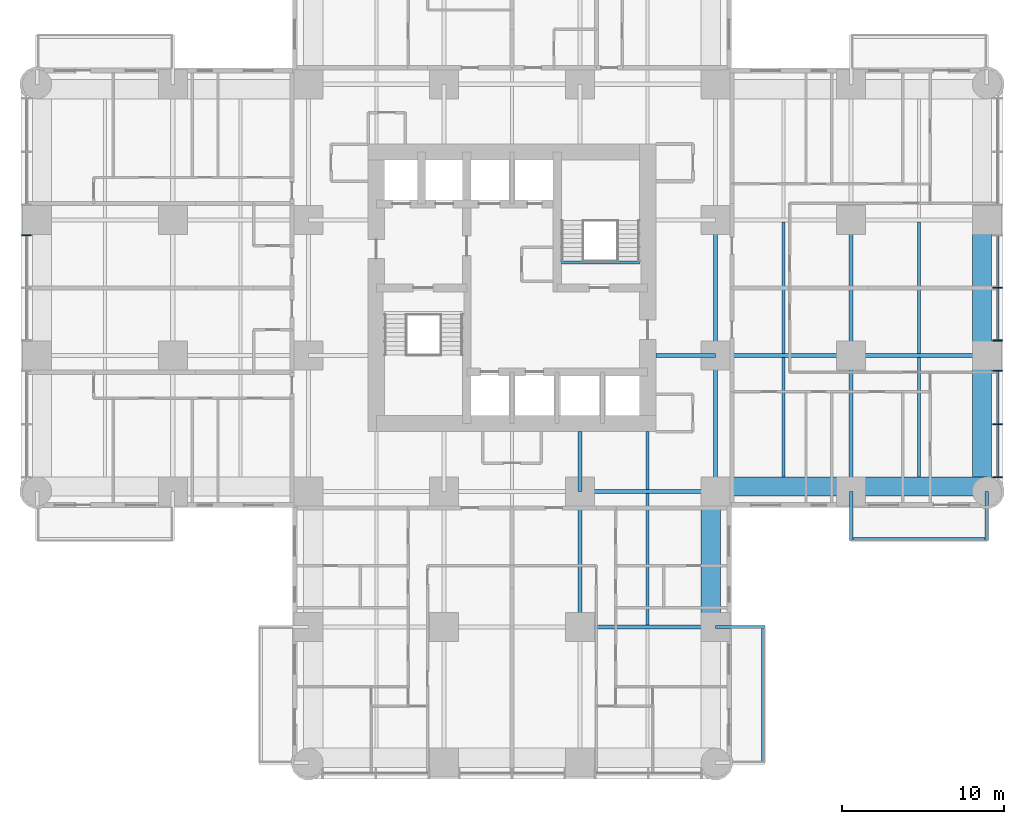
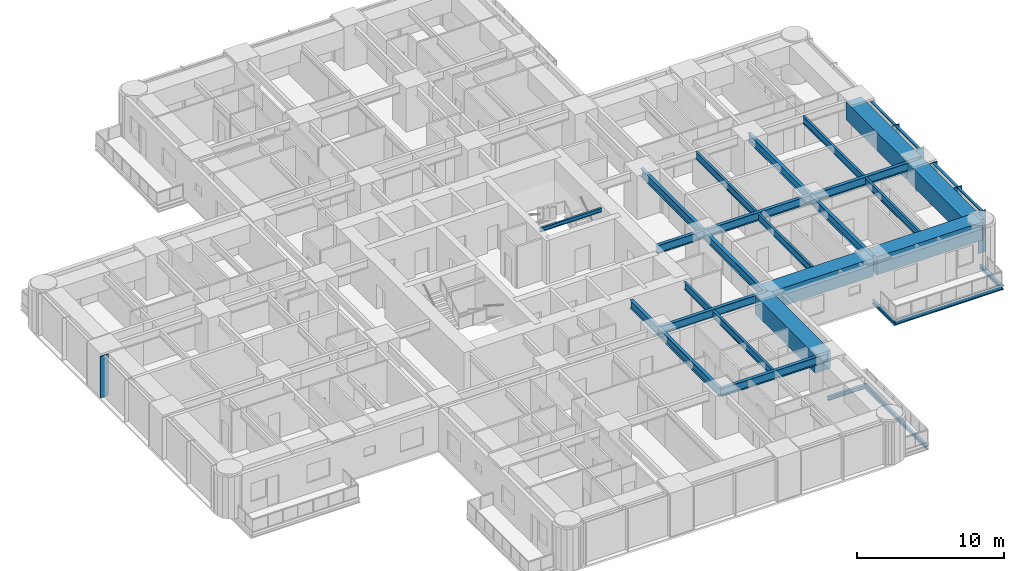
# One storey, part 3 of 17: 28 beams, 10 members, 2 elements without a shape of their own.
"""IFC4 building model written with IfcOpenShell, lengths in metres."""

from ifc_helpers import new_model, si_unit, direction, frame, origin, origin_2d, place, context, subcontext, project, spatial, rectangle, i_section, extrude, material, material_profile, profile_set, type_object, element, aggregate, save


model = new_model("IFC4")

# Units and contexts
model_context = context("Model", 3, precision=1e-05, world=origin(), true_north=direction((0.0, 1.0)))
body_context = subcontext(model_context, "Body", "Model", "MODEL_VIEW")
ifc_project = project(units=[si_unit("LENGTHUNIT", "METRE"), si_unit("AREAUNIT", "SQUARE_METRE"), si_unit("VOLUMEUNIT", "CUBIC_METRE"), si_unit("PLANEANGLEUNIT", "RADIAN"), si_unit("MASSUNIT", "GRAM", prefix="KILO")], contexts=[model_context])

# Site, building, storey
site_placement = place(None, origin())
site = spatial("IfcSite", under=ifc_project, at=site_placement, CompositionType="ELEMENT")
building_placement = place(site_placement, origin())
building = spatial("IfcBuilding", under=site, at=building_placement, Name="Torre Alcanfor", CompositionType="ELEMENT")
storey_placement = place(building_placement, frame((0.0, 0.0, 63.300048828125)))
storey = spatial("IfcBuildingStorey", under=building, at=storey_placement, Name="L15", CompositionType="ELEMENT", Elevation=63.300048828125)

# Beams
ifc_material_1 = material(Name="Steel ASTM A992 Grade 50", Category="steel")
ifc_material_profile_1 = material_profile(ifc_material_1, i_section(OverallWidth=0.205322265625, OverallDepth=0.309814453125, WebThickness=0.00927734375, FlangeThickness=0.016357421875, at=origin_2d()), Name="W12x50")
ifc_profile_set_1 = profile_set([ifc_material_profile_1], Name="Steel ASTM A992 Grade 50")
beam_type_1 = type_object("IfcBeamType", Name="Balcony cantilever beam W12x50", PredefinedType="BEAM", material=ifc_profile_set_1)
for number, where, z_axis, x_axis, name in (
    (1, (50.39990234375, 16.800048828125, -0.35498046875), (0.0, -1.0, 0.0), (1.0, 0.0, 0.0), "Balcony cantilever beam L15-E2 1"),
    (2, (58.800048828125, 16.800048828125, -0.35498046875), (0.0, -1.0, 0.0), (1.0, 0.0, 0.0), "Balcony cantilever beam L15-E2 2"),
    (3, (42.0, 8.39990234375, -0.35498046875), (1.0, 0.0, 0.0), (0.0, 1.0, 0.0), "Balcony cantilever beam L15-S1 1"),
):
    element("IfcBeam", number, at=place(storey_placement, frame(where, z_axis=z_axis, x_axis=x_axis)), inside=storey, type_object=beam_type_1, Name=name, PredefinedType="BEAM", context=body_context, shape_type="SweptSolid", body=[
        extrude(i_section(OverallWidth=0.205322265625, OverallDepth=0.309814453125, WebThickness=0.00927734375, FlangeThickness=0.016357421875, at=origin_2d()), origin(), (0.0, 0.0, 1.0), 3.050048828125),
    ])
ifc_material_2 = material(Name="Steel ASTM A992 Grade 50", Category="steel")
ifc_material_profile_2 = material_profile(ifc_material_2, i_section(OverallWidth=0.203369140625, OverallDepth=0.30224609375, WebThickness=0.007568359375, FlangeThickness=0.01318359375, at=origin_2d()), Name="W12x40")
ifc_profile_set_2 = profile_set([ifc_material_profile_2], Name="Steel ASTM A992 Grade 50")
beam_type_2 = type_object("IfcBeamType", Name="Balcony edge trimmer W12x40", PredefinedType="BEAM", material=ifc_profile_set_2)
beam_1_placement = place(storey_placement, frame((50.39990234375, 13.851806640625, -0.35107421875), z_axis=(1.0, 0.0, 0.0), x_axis=(0.0, 1.0, 0.0)))
element("IfcBeam", 4, at=beam_1_placement, inside=storey, type_object=beam_type_2, Name="Balcony edge trimmer L15-E2", PredefinedType="BEAM", context=body_context, shape_type="SweptSolid", body=[
    extrude(i_section(OverallWidth=0.203369140625, OverallDepth=0.30224609375, WebThickness=0.007568359375, FlangeThickness=0.01318359375, at=origin_2d()), origin(), (0.0, 0.0, 1.0), 8.400146484375),
])
beam_2_placement = place(storey_placement, frame((44.9482421875, 8.39990234375, -0.35107421875), z_axis=(0.0, -1.0, 0.0), x_axis=(1.0, 0.0, 0.0)))
element("IfcBeam", 5, at=beam_2_placement, inside=storey, type_object=beam_type_2, Name="Balcony edge trimmer L15-S1", PredefinedType="BEAM", context=body_context, shape_type="SweptSolid", body=[
    extrude(i_section(OverallWidth=0.203369140625, OverallDepth=0.30224609375, WebThickness=0.007568359375, FlangeThickness=0.01318359375, at=origin_2d()), origin(), (0.0, 0.0, 1.0), 8.39990234375),
])

# Curtain wall, member
ifc_material_3 = material(Name="Aluminium and glass", Category="aluminium")
curtain_wall_type = type_object("IfcCurtainWallType", Name="CW-A unitised apartment glazing with vertical FIN", PredefinedType="NOTDEFINED", material=ifc_material_3)
curtain_wall_1_placement = place(storey_placement, origin())
curtain_wall_1 = element("IfcCurtainWall", 6, at=curtain_wall_1_placement, inside=storey, type_object=curtain_wall_type, Name="Curtain wall CW-A L15 2", PredefinedType="NOTDEFINED")
ifc_material_4 = material(Name="Bronze anodised aluminium", Category="aluminium")
ifc_material_profile_3 = material_profile(ifc_material_4, rectangle(XDim=0.60009765625, YDim=0.06494140625, at=origin_2d()), Name="CW-A mullion 65x600")
ifc_profile_set_3 = profile_set([ifc_material_profile_3], Name="Bronze anodised aluminium")
member_type_1 = type_object("IfcMemberType", Name="CW-A mullion with vertical FIN 65x600", PredefinedType="MULLION", material=ifc_profile_set_3)
member_1_placement = place(storey_placement, frame((-0.64990234375, 32.66259765625, 0.0), z_axis=(0.0, 0.0, 1.0), x_axis=(1.0, 0.0, 0.0)))
member_1 = element("IfcMember", 7, at=member_1_placement, type_object=member_type_1, Name="CW-A mullion 2.1", PredefinedType="MULLION", context=body_context, shape_type="SweptSolid", body=[
    extrude(rectangle(XDim=0.60009765625, YDim=0.06494140625, at=origin_2d()), origin(), (0.0, 0.0, 1.0), 3.449951171875),
])
aggregate(curtain_wall_1, [member_1])

# Curtain wall, members
curtain_wall_2_placement = place(storey_placement, origin())
curtain_wall_2 = element("IfcCurtainWall", 8, at=curtain_wall_2_placement, inside=storey, type_object=curtain_wall_type, Name="Curtain wall CW-A L15 8", PredefinedType="NOTDEFINED")
member_2_placement = place(storey_placement, frame((59.449951171875, 17.6669921875, 0.0), z_axis=(0.0, 0.0, 1.0), x_axis=(-1.0, 0.0, 0.0)))
member_2 = element("IfcMember", 9, at=member_2_placement, type_object=member_type_1, Name="CW-A mullion 1.1", PredefinedType="MULLION", context=body_context, shape_type="SweptSolid", body=[
    extrude(rectangle(XDim=0.60009765625, YDim=0.06494140625, at=origin_2d()), origin(), (0.0, 0.0, 1.0), 3.449951171875),
])
member_3_placement = place(storey_placement, frame((59.449951171875, 20.96484375, 0.0), z_axis=(0.0, 0.0, 1.0), x_axis=(-1.0, 0.0, 0.0)))
member_3 = element("IfcMember", 10, at=member_3_placement, type_object=member_type_1, Name="CW-A mullion 1.2", PredefinedType="MULLION", context=body_context, shape_type="SweptSolid", body=[
    extrude(rectangle(XDim=0.60009765625, YDim=0.06494140625, at=origin_2d()), origin(), (0.0, 0.0, 1.0), 3.449951171875),
])
member_4_placement = place(storey_placement, frame((59.449951171875, 24.262451171875, 0.0), z_axis=(0.0, 0.0, 1.0), x_axis=(-1.0, 0.0, 0.0)))
member_4 = element("IfcMember", 11, at=member_4_placement, type_object=member_type_1, Name="CW-A mullion 1.3", PredefinedType="MULLION", context=body_context, shape_type="SweptSolid", body=[
    extrude(rectangle(XDim=0.60009765625, YDim=0.06494140625, at=origin_2d()), origin(), (0.0, 0.0, 1.0), 3.449951171875),
])
member_5_placement = place(storey_placement, frame((59.449951171875, 26.137451171875, 0.0), z_axis=(0.0, 0.0, 1.0), x_axis=(-1.0, 0.0, 0.0)))
member_5 = element("IfcMember", 12, at=member_5_placement, type_object=member_type_1, Name="CW-A mullion 2.1", PredefinedType="MULLION", context=body_context, shape_type="SweptSolid", body=[
    extrude(rectangle(XDim=0.60009765625, YDim=0.06494140625, at=origin_2d()), origin(), (0.0, 0.0, 1.0), 3.449951171875),
])
member_6_placement = place(storey_placement, frame((59.449951171875, 29.39990234375, 0.0), z_axis=(0.0, 0.0, 1.0), x_axis=(-1.0, 0.0, 0.0)))
member_6 = element("IfcMember", 13, at=member_6_placement, type_object=member_type_1, Name="CW-A mullion 2.2", PredefinedType="MULLION", context=body_context, shape_type="SweptSolid", body=[
    extrude(rectangle(XDim=0.60009765625, YDim=0.06494140625, at=origin_2d()), origin(), (0.0, 0.0, 1.0), 3.449951171875),
])
ifc_material_5 = material(Name="Extruded aluminium", Category="aluminium")
ifc_material_profile_4 = material_profile(ifc_material_5, rectangle(XDim=0.199951171875, YDim=0.06494140625, at=origin_2d()), Name="CW-A transom 200x65")
ifc_profile_set_4 = profile_set([ifc_material_profile_4], Name="Extruded aluminium")
member_type_2 = type_object("IfcMemberType", Name="CW-A transom 65x200", PredefinedType="USERDEFINED", material=ifc_profile_set_4)
member_7_placement = place(storey_placement, frame((59.449951171875, 17.699462890625, 3.41748046875), z_axis=(0.0, 1.0, 0.0), x_axis=(-1.0, 0.0, 0.0)))
member_7 = element("IfcMember", 14, at=member_7_placement, type_object=member_type_2, Name="CW-A transom 1.1.2", ObjectType="TRANSOM", PredefinedType="USERDEFINED", context=body_context, shape_type="SweptSolid", body=[
    extrude(rectangle(XDim=0.199951171875, YDim=0.06494140625, at=origin_2d()), origin(), (0.0, 0.0, 1.0), 3.232666015625),
])
member_8_placement = place(storey_placement, frame((59.449951171875, 20.997314453125, 3.41748046875), z_axis=(0.0, 1.0, 0.0), x_axis=(-1.0, 0.0, 0.0)))
member_8 = element("IfcMember", 15, at=member_8_placement, type_object=member_type_2, Name="CW-A transom 1.2.2", ObjectType="TRANSOM", PredefinedType="USERDEFINED", context=body_context, shape_type="SweptSolid", body=[
    extrude(rectangle(XDim=0.199951171875, YDim=0.06494140625, at=origin_2d()), origin(), (0.0, 0.0, 1.0), 3.232666015625),
])
member_9_placement = place(storey_placement, frame((59.449951171875, 26.169921875, 3.41748046875), z_axis=(0.0, 1.0, 0.0), x_axis=(-1.0, 0.0, 0.0)))
member_9 = element("IfcMember", 16, at=member_9_placement, type_object=member_type_2, Name="CW-A transom 2.1.2", ObjectType="TRANSOM", PredefinedType="USERDEFINED", context=body_context, shape_type="SweptSolid", body=[
    extrude(rectangle(XDim=0.199951171875, YDim=0.06494140625, at=origin_2d()), origin(), (0.0, 0.0, 1.0), 3.197509765625),
])
member_10_placement = place(storey_placement, frame((59.449951171875, 29.4326171875, 3.41748046875), z_axis=(0.0, 1.0, 0.0), x_axis=(-1.0, 0.0, 0.0)))
member_10 = element("IfcMember", 17, at=member_10_placement, type_object=member_type_2, Name="CW-A transom 2.2.2", ObjectType="TRANSOM", PredefinedType="USERDEFINED", context=body_context, shape_type="SweptSolid", body=[
    extrude(rectangle(XDim=0.199951171875, YDim=0.06494140625, at=origin_2d()), origin(), (0.0, 0.0, 1.0), 3.197265625),
])
aggregate(curtain_wall_2, [member_2, member_3, member_4, member_7, member_8, member_5, member_6, member_9, member_10])

# Beams
ifc_material_6 = material(Name="Steel ASTM A992 Grade 50", Category="steel")
ifc_material_profile_5 = material_profile(ifc_material_6, i_section(OverallWidth=0.25390625, OverallDepth=0.683349609375, WebThickness=0.012451171875, FlangeThickness=0.01904296875, at=origin_2d()), Name="W27x94")
ifc_profile_set_5 = profile_set([ifc_material_profile_5], Name="Steel ASTM A992 Grade 50")
beam_type_3 = type_object("IfcBeamType", Name="Girder W27x94", PredefinedType="BEAM", material=ifc_profile_set_5)
for number, where, z_axis, x_axis, name in (
    (18, (33.60009765625, 8.39990234375, 3.1083984375), (1.0, 0.0, 0.0), (0.0, 1.0, 0.0), "Beam 5D-6D under L16"),
    (19, (33.60009765625, 16.800048828125, 3.1083984375), (1.0, 0.0, 0.0), (0.0, 1.0, 0.0), "Beam 5E-6E under L16"),
    (20, (42.0, 25.199951171875, 3.1083984375), (1.0, 0.0, 0.0), (0.0, 1.0, 0.0), "Beam 6F-7F under L16"),
):
    element("IfcBeam", number, at=place(storey_placement, frame(where, z_axis=z_axis, x_axis=x_axis)), inside=storey, type_object=beam_type_3, Name=name, PredefinedType="BEAM", context=body_context, shape_type="SweptSolid", body=[
        extrude(i_section(OverallWidth=0.25390625, OverallDepth=0.683349609375, WebThickness=0.012451171875, FlangeThickness=0.01904296875, at=origin_2d()), origin(), (0.0, 0.0, 1.0), 8.39990234375),
    ])
for number, where, z_axis, x_axis, name in (
    (21, (50.39990234375, 25.199951171875, 3.1083984375), (1.0, 0.0, 0.0), (0.0, 1.0, 0.0), "Beam 7F-8F under L16"),
    (22, (33.60009765625, 8.39990234375, 3.1083984375), (0.0, 1.0, 0.0), (-1.0, 0.0, 0.0), "Beam 5D-5E under L16"),
):
    element("IfcBeam", number, at=place(storey_placement, frame(where, z_axis=z_axis, x_axis=x_axis)), inside=storey, type_object=beam_type_3, Name=name, PredefinedType="BEAM", context=body_context, shape_type="SweptSolid", body=[
        extrude(i_section(OverallWidth=0.25390625, OverallDepth=0.683349609375, WebThickness=0.012451171875, FlangeThickness=0.01904296875, at=origin_2d()), origin(), (0.0, 0.0, 1.0), 8.400146484375),
    ])
beam_3_placement = place(storey_placement, frame((42.0, 16.800048828125, 3.1083984375), z_axis=(0.0, 1.0, 0.0), x_axis=(-1.0, 0.0, 0.0)))
element("IfcBeam", 23, at=beam_3_placement, inside=storey, type_object=beam_type_3, Name="Beam 6E-6F under L16", PredefinedType="BEAM", context=body_context, shape_type="SweptSolid", body=[
    extrude(i_section(OverallWidth=0.25390625, OverallDepth=0.683349609375, WebThickness=0.012451171875, FlangeThickness=0.01904296875, at=origin_2d()), origin(), (0.0, 0.0, 1.0), 8.39990234375),
])
beam_4_placement = place(storey_placement, frame((42.0, 25.199951171875, 3.1083984375), z_axis=(0.0, 1.0, 0.0), x_axis=(-1.0, 0.0, 0.0)))
element("IfcBeam", 24, at=beam_4_placement, inside=storey, type_object=beam_type_3, Name="Beam 6F-6G under L16", PredefinedType="BEAM", context=body_context, shape_type="SweptSolid", body=[
    extrude(i_section(OverallWidth=0.25390625, OverallDepth=0.683349609375, WebThickness=0.012451171875, FlangeThickness=0.01904296875, at=origin_2d()), origin(), (0.0, 0.0, 1.0), 8.400146484375),
])
beam_5_placement = place(storey_placement, frame((50.39990234375, 16.800048828125, 3.1083984375), z_axis=(0.0, 1.0, 0.0), x_axis=(-1.0, 0.0, 0.0)))
element("IfcBeam", 25, at=beam_5_placement, inside=storey, type_object=beam_type_3, Name="Beam 7E-7F under L16", PredefinedType="BEAM", context=body_context, shape_type="SweptSolid", body=[
    extrude(i_section(OverallWidth=0.25390625, OverallDepth=0.683349609375, WebThickness=0.012451171875, FlangeThickness=0.01904296875, at=origin_2d()), origin(), (0.0, 0.0, 1.0), 8.39990234375),
])
beam_6_placement = place(storey_placement, frame((50.39990234375, 25.199951171875, 3.1083984375), z_axis=(0.0, 1.0, 0.0), x_axis=(-1.0, 0.0, 0.0)))
element("IfcBeam", 26, at=beam_6_placement, inside=storey, type_object=beam_type_3, Name="Beam 7F-7G under L16", PredefinedType="BEAM", context=body_context, shape_type="SweptSolid", body=[
    extrude(i_section(OverallWidth=0.25390625, OverallDepth=0.683349609375, WebThickness=0.012451171875, FlangeThickness=0.01904296875, at=origin_2d()), origin(), (0.0, 0.0, 1.0), 8.400146484375),
])
ifc_material_7 = material(Name="Steel ASTM A992 Grade 50", Category="steel")
ifc_material_profile_6 = material_profile(ifc_material_7, i_section(OverallWidth=0.25390625, OverallDepth=0.683349609375, WebThickness=0.012451171875, FlangeThickness=0.01904296875, at=origin_2d()), Name="W27x94")
ifc_profile_set_6 = profile_set([ifc_material_profile_6], Name="Steel ASTM A992 Grade 50")
beam_type_4 = type_object("IfcBeamType", Name="Girder, part bay W27x94", PredefinedType="BEAM", material=ifc_profile_set_6)
for number, where, z_axis, x_axis, name in (
    (27, (33.60009765625, 16.800048828125, 3.1083984375), (0.0, 1.0, 0.0), (-1.0, 0.0, 0.0), "Beam 5E-520_5 under L16"),
    (28, (42.0, 25.199951171875, 3.1083984375), (-1.0, 0.0, 0.0), (0.0, -1.0, 0.0), "Beam 6F-38_3F under L16"),
):
    element("IfcBeam", number, at=place(storey_placement, frame(where, z_axis=z_axis, x_axis=x_axis)), inside=storey, type_object=beam_type_4, Name=name, PredefinedType="BEAM", context=body_context, shape_type="SweptSolid", body=[
        extrude(i_section(OverallWidth=0.25390625, OverallDepth=0.683349609375, WebThickness=0.012451171875, FlangeThickness=0.01904296875, at=origin_2d()), origin(), (0.0, 0.0, 1.0), 3.699951171875),
    ])
ifc_material_8 = material(Name="Concrete f'c 70 MPa", Category="concrete")
ifc_material_profile_7 = material_profile(ifc_material_8, rectangle(XDim=1.199951171875, YDim=1.5, at=origin_2d()), Name="1200x1500")
ifc_profile_set_7 = profile_set([ifc_material_profile_7], Name="Concrete f'c 70 MPa")
beam_type_5 = type_object("IfcBeamType", Name="RC perimeter beam 1200x1500", PredefinedType="BEAM", material=ifc_profile_set_7)
beam_7_placement = place(storey_placement, frame((42.126953125, 17.10009765625, 2.699951171875), z_axis=(1.0, 0.0, 0.0), x_axis=(0.0, 1.0, 0.0)))
element("IfcBeam", 29, at=beam_7_placement, inside=storey, type_object=beam_type_5, Name="Beam 6E-7E under L16", PredefinedType="BEAM", context=body_context, shape_type="SweptSolid", body=[
    extrude(rectangle(XDim=1.199951171875, YDim=1.5, at=origin_2d()), origin(), (0.0, 0.0, 1.0), 8.14599609375),
])
beam_8_placement = place(storey_placement, frame((50.527099609375, 17.10009765625, 2.699951171875), z_axis=(1.0, 0.0, 0.0), x_axis=(0.0, 1.0, 0.0)))
element("IfcBeam", 30, at=beam_8_placement, inside=storey, type_object=beam_type_5, Name="Beam 7E-8E under L16", PredefinedType="BEAM", context=body_context, shape_type="SweptSolid", body=[
    extrude(rectangle(XDim=1.199951171875, YDim=1.5, at=origin_2d()), origin(), (0.0, 0.0, 1.0), 8.27294921875),
])
beam_9_placement = place(storey_placement, frame((41.699951171875, 8.527099609375, 2.699951171875), z_axis=(0.0, 1.0, 0.0), x_axis=(-1.0, 0.0, 0.0)))
element("IfcBeam", 31, at=beam_9_placement, inside=storey, type_object=beam_type_5, Name="Beam 6D-6E under L16", PredefinedType="BEAM", context=body_context, shape_type="SweptSolid", body=[
    extrude(rectangle(XDim=1.199951171875, YDim=1.5, at=origin_2d()), origin(), (0.0, 0.0, 1.0), 8.14599609375),
])
beam_10_placement = place(storey_placement, frame((58.5, 16.800048828125, 2.699951171875), z_axis=(0.0, 1.0, 0.0), x_axis=(-1.0, 0.0, 0.0)))
element("IfcBeam", 32, at=beam_10_placement, inside=storey, type_object=beam_type_5, Name="Beam 8E-8F under L16", PredefinedType="BEAM", context=body_context, shape_type="SweptSolid", body=[
    extrude(rectangle(XDim=1.199951171875, YDim=1.5, at=origin_2d()), origin(), (0.0, 0.0, 1.0), 8.27294921875),
])
beam_11_placement = place(storey_placement, frame((58.5, 25.326904296875, 2.699951171875), z_axis=(0.0, 1.0, 0.0), x_axis=(-1.0, 0.0, 0.0)))
element("IfcBeam", 33, at=beam_11_placement, inside=storey, type_object=beam_type_5, Name="Beam 8F-8G under L16", PredefinedType="BEAM", context=body_context, shape_type="SweptSolid", body=[
    extrude(rectangle(XDim=1.199951171875, YDim=1.5, at=origin_2d()), origin(), (0.0, 0.0, 1.0), 8.14599609375),
])
ifc_material_9 = material(Name="Steel ASTM A992 Grade 50", Category="steel")
ifc_material_profile_8 = material_profile(ifc_material_9, i_section(OverallWidth=0.1787109375, OverallDepth=0.60205078125, WebThickness=0.010986328125, FlangeThickness=0.014892578125, at=origin_2d()), Name="W24x62")
ifc_profile_set_8 = profile_set([ifc_material_profile_8], Name="Steel ASTM A992 Grade 50")
beam_type_6 = type_object("IfcBeamType", Name="Secondary beam W24x62", PredefinedType="BEAM", material=ifc_profile_set_8)
beam_12_placement = place(storey_placement, frame((37.800048828125, 8.527099609375, 3.14892578125), z_axis=(0.0, 1.0, 0.0), x_axis=(-1.0, 0.0, 0.0)))
element("IfcBeam", 34, at=beam_12_placement, inside=storey, type_object=beam_type_6, Name="Beam 37_8D-37_8E under L16", PredefinedType="BEAM", context=body_context, shape_type="SweptSolid", body=[
    extrude(i_section(OverallWidth=0.1787109375, OverallDepth=0.60205078125, WebThickness=0.010986328125, FlangeThickness=0.014892578125, at=origin_2d()), origin(), (0.0, 0.0, 1.0), 8.14599609375),
])
beam_13_placement = place(storey_placement, frame((46.199951171875, 17.699951171875, 3.14892578125), z_axis=(0.0, 1.0, 0.0), x_axis=(-1.0, 0.0, 0.0)))
element("IfcBeam", 35, at=beam_13_placement, inside=storey, type_object=beam_type_6, Name="Beam 46_2E-46_2F under L16", PredefinedType="BEAM", context=body_context, shape_type="SweptSolid", body=[
    extrude(i_section(OverallWidth=0.1787109375, OverallDepth=0.60205078125, WebThickness=0.010986328125, FlangeThickness=0.014892578125, at=origin_2d()), origin(), (0.0, 0.0, 1.0), 7.373046875),
])
beam_14_placement = place(storey_placement, frame((46.199951171875, 25.326904296875, 3.14892578125), z_axis=(0.0, 1.0, 0.0), x_axis=(-1.0, 0.0, 0.0)))
element("IfcBeam", 36, at=beam_14_placement, inside=storey, type_object=beam_type_6, Name="Beam 46_2F-46_2G under L16", PredefinedType="BEAM", context=body_context, shape_type="SweptSolid", body=[
    extrude(i_section(OverallWidth=0.1787109375, OverallDepth=0.60205078125, WebThickness=0.010986328125, FlangeThickness=0.014892578125, at=origin_2d()), origin(), (0.0, 0.0, 1.0), 8.14599609375),
])
beam_15_placement = place(storey_placement, frame((54.60009765625, 17.699951171875, 3.14892578125), z_axis=(0.0, 1.0, 0.0), x_axis=(-1.0, 0.0, 0.0)))
element("IfcBeam", 37, at=beam_15_placement, inside=storey, type_object=beam_type_6, Name="Beam 54_6E-54_6F under L16", PredefinedType="BEAM", context=body_context, shape_type="SweptSolid", body=[
    extrude(i_section(OverallWidth=0.1787109375, OverallDepth=0.60205078125, WebThickness=0.010986328125, FlangeThickness=0.014892578125, at=origin_2d()), origin(), (0.0, 0.0, 1.0), 7.373046875),
])
beam_16_placement = place(storey_placement, frame((54.60009765625, 25.326904296875, 3.14892578125), z_axis=(0.0, 1.0, 0.0), x_axis=(-1.0, 0.0, 0.0)))
element("IfcBeam", 38, at=beam_16_placement, inside=storey, type_object=beam_type_6, Name="Beam 54_6F-54_6G under L16", PredefinedType="BEAM", context=body_context, shape_type="SweptSolid", body=[
    extrude(i_section(OverallWidth=0.1787109375, OverallDepth=0.60205078125, WebThickness=0.010986328125, FlangeThickness=0.014892578125, at=origin_2d()), origin(), (0.0, 0.0, 1.0), 8.14599609375),
])
ifc_material_10 = material(Name="Steel ASTM A992 Grade 50", Category="steel")
ifc_material_profile_9 = material_profile(ifc_material_10, i_section(OverallWidth=0.1787109375, OverallDepth=0.60205078125, WebThickness=0.010986328125, FlangeThickness=0.014892578125, at=origin_2d()), Name="W24x62")
ifc_profile_set_9 = profile_set([ifc_material_profile_9], Name="Steel ASTM A992 Grade 50")
beam_type_7 = type_object("IfcBeamType", Name="Secondary beam, part bay W24x62", PredefinedType="BEAM", material=ifc_profile_set_9)
beam_17_placement = place(storey_placement, frame((37.800048828125, 16.927001953125, 3.14892578125), z_axis=(0.0, 1.0, 0.0), x_axis=(-1.0, 0.0, 0.0)))
element("IfcBeam", 39, at=beam_17_placement, inside=storey, type_object=beam_type_7, Name="Beam 37_8E-37_820_5 under L16", PredefinedType="BEAM", context=body_context, shape_type="SweptSolid", body=[
    extrude(i_section(OverallWidth=0.1787109375, OverallDepth=0.60205078125, WebThickness=0.010986328125, FlangeThickness=0.014892578125, at=origin_2d()), origin(), (0.0, 0.0, 1.0), 3.572998046875),
])
ifc_material_11 = material(Name="Steel ASTM A992 Grade 50", Category="steel")
ifc_material_profile_10 = material_profile(ifc_material_11, i_section(OverallWidth=0.164794921875, OverallDepth=0.309814453125, WebThickness=0.005859375, FlangeThickness=0.009765625, at=origin_2d()), Name="W12x26")
ifc_profile_set_10 = profile_set([ifc_material_profile_10], Name="Steel ASTM A992 Grade 50")
beam_type_8 = type_object("IfcBeamType", Name="Stair landing beam W12x26", PredefinedType="BEAM", material=ifc_profile_set_10)
beam_18_placement = place(storey_placement, frame((32.449951171875, 30.962646484375, 3.2451171875), z_axis=(1.0, 0.0, 0.0), x_axis=(0.0, 1.0, 0.0)))
element("IfcBeam", 40, at=beam_18_placement, inside=storey, type_object=beam_type_8, Name="Landing trimmer S2 L16", PredefinedType="BEAM", context=body_context, shape_type="SweptSolid", body=[
    extrude(i_section(OverallWidth=0.164794921875, OverallDepth=0.309814453125, WebThickness=0.005859375, FlangeThickness=0.009765625, at=origin_2d()), origin(), (0.0, 0.0, 1.0), 4.85009765625),
])

save(model, "model.ifc")
